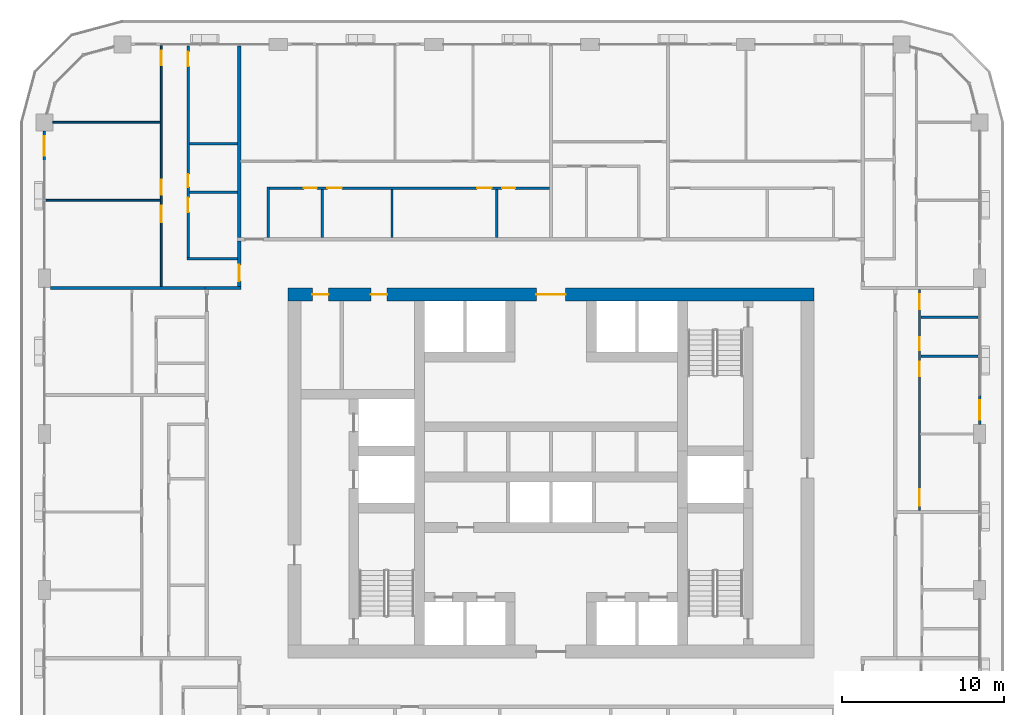
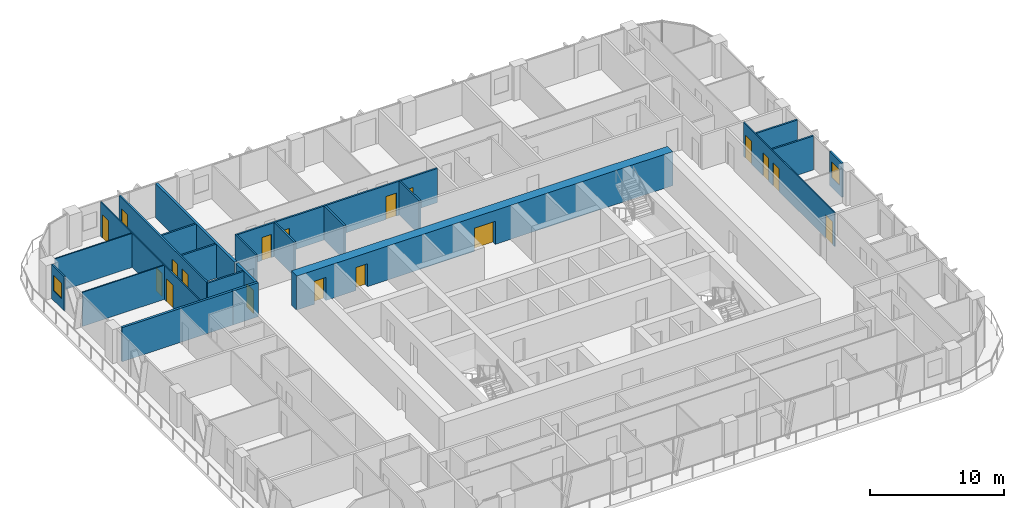
# One storey, part 13 of 22: 22 walls, 18 doors, 2 windows, 20 openings.
"""IFC4 building model written with IfcOpenShell, lengths in metres."""

from ifc_helpers import new_model, si_unit, direction, frame, frame_2d, origin, place, context, subcontext, project, spatial, rectangle, extrude, material, layer, layer_set, type_object, element, fill, save


model = new_model("IFC4")

# Units and contexts
model_context = context("Model", 3, precision=1e-05, world=origin(), true_north=direction((0.0, 1.0)))
body_context = subcontext(model_context, "Body", "Model", "MODEL_VIEW")
ifc_project = project(units=[si_unit("LENGTHUNIT", "METRE"), si_unit("AREAUNIT", "SQUARE_METRE"), si_unit("VOLUMEUNIT", "CUBIC_METRE"), si_unit("PLANEANGLEUNIT", "RADIAN"), si_unit("MASSUNIT", "GRAM", prefix="KILO")], contexts=[model_context])

# Site, building, storey
site_placement = place(None, origin())
site = spatial("IfcSite", under=ifc_project, at=site_placement, CompositionType="ELEMENT")
building_placement = place(site_placement, origin())
building = spatial("IfcBuilding", under=site, at=building_placement, Name="Madar Terraces", CompositionType="ELEMENT")
storey_placement = place(building_placement, frame((0.0, 0.0, 140.10009765625)))
storey = spatial("IfcBuildingStorey", under=building, at=storey_placement, Name="L36", CompositionType="ELEMENT", Elevation=140.10009765625)

# Wall, openings, doors
ifc_material_1 = material(Name="Concrete C70/85", Category="concrete")
ifc_layer_1 = layer(ifc_material_1, 0.800048828125)
ifc_layer_set_1 = layer_set([ifc_layer_1], Name="Concrete C70/85 (CRW3 RC wall 800)")
wall_type_1 = type_object("IfcWallType", Name="CRW3 RC wall 800", PredefinedType="SHEAR", material=ifc_layer_set_1)
wall_1_placement = place(storey_placement, frame((15.0, 37.39990234375, 0.0), z_axis=(0.0, 0.0, 1.0), x_axis=(1.0, 0.0, 0.0)))
wall_1 = element("IfcWall", 1, at=wall_1_placement, inside=storey, type_object=wall_type_1, Name="CORE OUTER WALL", PredefinedType="SHEAR", context=body_context, shape_type="SweptSolid", body=[
    extrude(rectangle(XDim=32.39990234375, YDim=0.800048828125, at=frame_2d((16.199951171875, 0.0))), origin(), (0.0, 0.0, 1.0), 3.099853515625),
])
opening_1_placement = place(wall_1_placement, frame((15.300048828125, 0.0, 0.0)))
opening_1 = element("IfcOpeningElement", 2, at=opening_1_placement, cuts=wall_1, Name="Opening KD1", PredefinedType="OPENING", context=body_context, shape_type="SweptSolid", body=[
    extrude(rectangle(XDim=1.800048828125, YDim=2.10009765625, at=frame_2d((0.89990234375, 1.050048828125))), frame((0.0, 0.409912109375, 0.0), z_axis=(0.0, -1.0, 0.0), x_axis=(1.0, 0.0, 0.0)), (0.0, 0.0, 1.0), 0.820068359375),
])
opening_2_placement = place(wall_1_placement, frame((1.510009765625, 0.0, 0.0)))
opening_2 = element("IfcOpeningElement", 3, at=opening_2_placement, cuts=wall_1, Name="Opening KD2", PredefinedType="OPENING", context=body_context, shape_type="SweptSolid", body=[
    extrude(rectangle(XDim=1.0, YDim=2.10009765625, at=frame_2d((0.5, 1.050048828125))), frame((0.0, 0.409912109375, 0.0), z_axis=(0.0, -1.0, 0.0), x_axis=(1.0, 0.0, 0.0)), (0.0, 0.0, 1.0), 0.820068359375),
])
opening_3_placement = place(wall_1_placement, frame((5.110107421875, 0.0, 0.0)))
opening_3 = element("IfcOpeningElement", 4, at=opening_3_placement, cuts=wall_1, Name="Opening KD2", PredefinedType="OPENING", context=body_context, shape_type="SweptSolid", body=[
    extrude(rectangle(XDim=1.0, YDim=2.10009765625, at=frame_2d((0.5, 1.050048828125))), frame((0.0, 0.409912109375, 0.0), z_axis=(0.0, -1.0, 0.0), x_axis=(1.0, 0.0, 0.0)), (0.0, 0.0, 1.0), 0.820068359375),
])
ifc_material_2 = material(Name="Steel door leaf", Category="steel")
door_type_1 = type_object("IfcDoorType", Name="Lobby door pair 1800 x 2100", OperationType="DOUBLE_DOOR_SINGLE_SWING", PredefinedType="DOOR", material=ifc_material_2)
door_1_placement = place(opening_1_placement, origin())
door_1 = element("IfcDoor", 5, at=door_1_placement, inside=storey, type_object=door_type_1, Name="LIFT LOBBY DOOR", OperationType="DOUBLE_DOOR_SINGLE_SWING", OverallHeight=2.10009765625, OverallWidth=1.800048828125, PredefinedType="DOOR", context=body_context, shape_type="SweptSolid", body=[
    extrude(rectangle(XDim=1.800048828125, YDim=2.10009765625, at=frame_2d((0.89990234375, 1.050048828125))), frame((0.0, 0.02490234375, 0.0), z_axis=(0.0, -1.0, 0.0), x_axis=(1.0, 0.0, 0.0)), (0.0, 0.0, 1.0), 0.050048828125),
])
fill(opening_1, door_1)
ifc_material_3 = material(Name="Steel door leaf", Category="steel")
door_type_2 = type_object("IfcDoorType", Name="Service room door 1000 x 2100", OperationType="NOTDEFINED", PredefinedType="DOOR", material=ifc_material_3)
door_2_placement = place(opening_2_placement, origin())
door_2 = element("IfcDoor", 6, at=door_2_placement, inside=storey, type_object=door_type_2, Name="SERVICE ROOM DOOR", OperationType="SINGLE_SWING_LEFT", OverallHeight=2.10009765625, OverallWidth=1.0, PredefinedType="DOOR", context=body_context, shape_type="SweptSolid", body=[
    extrude(rectangle(XDim=1.0, YDim=2.10009765625, at=frame_2d((0.5, 1.050048828125))), frame((0.0, 0.02490234375, 0.0), z_axis=(0.0, -1.0, 0.0), x_axis=(1.0, 0.0, 0.0)), (0.0, 0.0, 1.0), 0.050048828125),
])
fill(opening_2, door_2)
door_3_placement = place(opening_3_placement, origin())
door_3 = element("IfcDoor", 7, at=door_3_placement, inside=storey, type_object=door_type_2, Name="SERVICE ROOM DOOR", OperationType="SINGLE_SWING_RIGHT", OverallHeight=2.10009765625, OverallWidth=1.0, PredefinedType="DOOR", context=body_context, shape_type="SweptSolid", body=[
    extrude(rectangle(XDim=1.0, YDim=2.10009765625, at=frame_2d((0.5, 1.050048828125))), frame((0.0, 0.02490234375, 0.0), z_axis=(0.0, -1.0, 0.0), x_axis=(1.0, 0.0, 0.0)), (0.0, 0.0, 1.0), 0.050048828125),
])
fill(opening_3, door_3)

# Wall, opening, window
ifc_material_4 = material(Name="Aluminium composite panel, black, over insulated backing", Category="aluminium")
ifc_layer_2 = layer(ifc_material_4, 0.14990234375)
ifc_layer_set_2 = layer_set([ifc_layer_2], Name="Facade bay panel 150")
wall_type_2 = type_object("IfcWallType", Name="Facade bay panel 150", PredefinedType="SOLIDWALL", material=ifc_layer_set_2)
wall_2_placement = place(storey_placement, frame((57.60009765625, 29.375, 0.0), z_axis=(0.0, 0.0, 1.0), x_axis=(0.0, 1.0, 0.0)))
wall_2 = element("IfcWall", 8, at=wall_2_placement, inside=storey, type_object=wall_type_2, Name="Facade bay panel", PredefinedType="SOLIDWALL", context=body_context, shape_type="SweptSolid", body=[
    extrude(rectangle(XDim=1.824951171875, YDim=0.14990234375, at=frame_2d((0.91259765625, 0.0))), origin(), (0.0, 0.0, 1.0), 3.099853515625),
])
opening_4_placement = place(wall_2_placement, frame((0.3125, 0.0, 0.89990234375)))
opening_4 = element("IfcOpeningElement", 9, at=opening_4_placement, cuts=wall_2, Name="Opening W1", PredefinedType="OPENING", context=body_context, shape_type="SweptSolid", body=[
    extrude(rectangle(XDim=1.199951171875, YDim=1.39990234375, at=frame_2d((0.60009765625, 0.699951171875))), frame((0.0, 0.0849609375, 0.0), z_axis=(0.0, -1.0, 0.0), x_axis=(1.0, 0.0, 0.0)), (0.0, 0.0, 1.0), 0.169921875),
])
ifc_material_5 = material(Name="Glass, clear, with black aluminium frame", Category="aluminium")
window_type = type_object("IfcWindowType", Name="Vent window 1200 x 1400", PartitioningType="SINGLE_PANEL", PredefinedType="WINDOW", material=ifc_material_5)
window_1_placement = place(opening_4_placement, origin())
window_1 = element("IfcWindow", 10, at=window_1_placement, inside=storey, type_object=window_type, Name="Operable vent window", OverallHeight=1.39990234375, OverallWidth=1.199951171875, PartitioningType="SINGLE_PANEL", PredefinedType="WINDOW", context=body_context, shape_type="SweptSolid", body=[
    extrude(rectangle(XDim=1.199951171875, YDim=1.39990234375, at=frame_2d((0.60009765625, 0.699951171875))), frame((0.0, 0.030029296875, 0.0), z_axis=(0.0, -1.0, 0.0), x_axis=(1.0, 0.0, 0.0)), (0.0, 0.0, 1.0), 0.06005859375),
])
fill(opening_4, window_1)

wall_3_placement = place(storey_placement, frame((0.0, 47.47509765625, 0.0), z_axis=(0.0, 0.0, 1.0), x_axis=(0.0, -1.0, 0.0)))
wall_3 = element("IfcWall", 11, at=wall_3_placement, inside=storey, type_object=wall_type_2, Name="Facade bay panel", PredefinedType="SOLIDWALL", context=body_context, shape_type="SweptSolid", body=[
    extrude(rectangle(XDim=1.875, YDim=0.14990234375, at=frame_2d((0.9375, 0.0))), origin(), (0.0, 0.0, 1.0), 3.099853515625),
])
opening_5_placement = place(wall_3_placement, frame((0.33740234375, 0.0, 0.89990234375)))
opening_5 = element("IfcOpeningElement", 12, at=opening_5_placement, cuts=wall_3, Name="Opening W1", PredefinedType="OPENING", context=body_context, shape_type="SweptSolid", body=[
    extrude(rectangle(XDim=1.199951171875, YDim=1.39990234375, at=frame_2d((0.60009765625, 0.699951171875))), frame((0.0, 0.0849609375, 0.0), z_axis=(0.0, -1.0, 0.0), x_axis=(1.0, 0.0, 0.0)), (0.0, 0.0, 1.0), 0.169921875),
])
window_2_placement = place(opening_5_placement, origin())
window_2 = element("IfcWindow", 13, at=window_2_placement, inside=storey, type_object=window_type, Name="Operable vent window", OverallHeight=1.39990234375, OverallWidth=1.199951171875, PartitioningType="SINGLE_PANEL", PredefinedType="WINDOW", context=body_context, shape_type="SweptSolid", body=[
    extrude(rectangle(XDim=1.199951171875, YDim=1.39990234375, at=frame_2d((0.60009765625, 0.699951171875))), frame((0.0, 0.030029296875, 0.0), z_axis=(0.0, -1.0, 0.0), x_axis=(1.0, 0.0, 0.0)), (0.0, 0.0, 1.0), 0.06005859375),
])
fill(opening_5, window_2)

# Wall, openings, doors
ifc_material_6 = material(Name="Gypsum board on steel studs", Category="steel")
ifc_layer_3 = layer(ifc_material_6, 0.10009765625)
ifc_layer_set_3 = layer_set([ifc_layer_3], Name="Flat partition 100")
wall_type_3 = type_object("IfcWallType", Name="Flat partition 100", PredefinedType="PARTITIONING", material=ifc_layer_set_3)
wall_4_placement = place(storey_placement, frame((53.89990234375, 37.699951171875, 0.0), z_axis=(0.0, 0.0, 1.0), x_axis=(0.0, -1.0, 0.0)))
wall_4 = element("IfcWall", 14, at=wall_4_placement, inside=storey, type_object=wall_type_3, Name="Flat partition 100", PredefinedType="PARTITIONING", context=body_context, shape_type="SweptSolid", body=[
    extrude(rectangle(XDim=13.599853515625, YDim=0.10009765625, at=frame_2d((6.7998046875, 0.0))), origin(), (0.0, 0.0, 1.0), 3.099853515625),
])
opening_6_placement = place(wall_4_placement, frame((0.300048828125, 0.0, 0.0)))
opening_6 = element("IfcOpeningElement", 15, at=opening_6_placement, cuts=wall_4, Name="Opening D2", PredefinedType="OPENING", context=body_context, shape_type="SweptSolid", body=[
    extrude(rectangle(XDim=0.89990234375, YDim=2.10009765625, at=frame_2d((0.449951171875, 1.050048828125))), frame((0.0, 0.06005859375, 0.0), z_axis=(0.0, -1.0, 0.0), x_axis=(1.0, 0.0, 0.0)), (0.0, 0.0, 1.0), 0.1201171875),
])
opening_7_placement = place(wall_4_placement, frame((2.949951171875, 0.0, 0.0)))
opening_7 = element("IfcOpeningElement", 16, at=opening_7_placement, cuts=wall_4, Name="Opening D4", PredefinedType="OPENING", context=body_context, shape_type="SweptSolid", body=[
    extrude(rectangle(XDim=0.800048828125, YDim=2.10009765625, at=frame_2d((0.39990234375, 1.050048828125))), frame((0.0, 0.06005859375, 0.0), z_axis=(0.0, -1.0, 0.0), x_axis=(1.0, 0.0, 0.0)), (0.0, 0.0, 1.0), 0.1201171875),
])
opening_8_placement = place(wall_4_placement, frame((4.449951171875, 0.0, 0.0)))
opening_8 = element("IfcOpeningElement", 17, at=opening_8_placement, cuts=wall_4, Name="Opening D2", PredefinedType="OPENING", context=body_context, shape_type="SweptSolid", body=[
    extrude(rectangle(XDim=0.89990234375, YDim=2.10009765625, at=frame_2d((0.449951171875, 1.050048828125))), frame((0.0, 0.06005859375, 0.0), z_axis=(0.0, -1.0, 0.0), x_axis=(1.0, 0.0, 0.0)), (0.0, 0.0, 1.0), 0.1201171875),
])
opening_9_placement = place(wall_4_placement, frame((12.300048828125, 0.0, 0.0)))
opening_9 = element("IfcOpeningElement", 18, at=opening_9_placement, cuts=wall_4, Name="Opening D3", PredefinedType="OPENING", context=body_context, shape_type="SweptSolid", body=[
    extrude(rectangle(XDim=1.0, YDim=2.10009765625, at=frame_2d((0.5, 1.050048828125))), frame((0.0, 0.06005859375, 0.0), z_axis=(0.0, -1.0, 0.0), x_axis=(1.0, 0.0, 0.0)), (0.0, 0.0, 1.0), 0.1201171875),
])
ifc_material_7 = material(Name="Timber door leaf", Category="wood")
door_type_3 = type_object("IfcDoorType", Name="Flat bathroom door 800", OperationType="NOTDEFINED", PredefinedType="DOOR", material=ifc_material_7)
door_4_placement = place(opening_7_placement, origin())
door_4 = element("IfcDoor", 19, at=door_4_placement, inside=storey, type_object=door_type_3, Name="Flat bathroom door 800", OperationType="SINGLE_SWING_RIGHT", OverallHeight=2.10009765625, OverallWidth=0.800048828125, PredefinedType="DOOR", context=body_context, shape_type="SweptSolid", body=[
    extrude(rectangle(XDim=0.800048828125, YDim=2.10009765625, at=frame_2d((0.39990234375, 1.050048828125))), frame((0.0, 0.02490234375, 0.0), z_axis=(0.0, -1.0, 0.0), x_axis=(1.0, 0.0, 0.0)), (0.0, 0.0, 1.0), 0.050048828125),
])
fill(opening_7, door_4)
ifc_material_8 = material(Name="Timber door leaf", Category="wood")
door_type_4 = type_object("IfcDoorType", Name="Flat living room door 1000", OperationType="NOTDEFINED", PredefinedType="DOOR", material=ifc_material_8)
door_5_placement = place(opening_9_placement, origin())
door_5 = element("IfcDoor", 20, at=door_5_placement, inside=storey, type_object=door_type_4, Name="Flat living room door 1000", OperationType="SINGLE_SWING_RIGHT", OverallHeight=2.10009765625, OverallWidth=1.0, PredefinedType="DOOR", context=body_context, shape_type="SweptSolid", body=[
    extrude(rectangle(XDim=1.0, YDim=2.10009765625, at=frame_2d((0.5, 1.050048828125))), frame((0.0, 0.02490234375, 0.0), z_axis=(0.0, -1.0, 0.0), x_axis=(1.0, 0.0, 0.0)), (0.0, 0.0, 1.0), 0.050048828125),
])
fill(opening_9, door_5)
ifc_material_9 = material(Name="Timber door leaf", Category="wood")
door_type_5 = type_object("IfcDoorType", Name="Flat room door 900", OperationType="NOTDEFINED", PredefinedType="DOOR", material=ifc_material_9)
door_6_placement = place(opening_6_placement, origin())
door_6 = element("IfcDoor", 21, at=door_6_placement, inside=storey, type_object=door_type_5, Name="Flat room door 900", OperationType="SINGLE_SWING_LEFT", OverallHeight=2.10009765625, OverallWidth=0.89990234375, PredefinedType="DOOR", context=body_context, shape_type="SweptSolid", body=[
    extrude(rectangle(XDim=0.89990234375, YDim=2.10009765625, at=frame_2d((0.449951171875, 1.050048828125))), frame((0.0, 0.02490234375, 0.0), z_axis=(0.0, -1.0, 0.0), x_axis=(1.0, 0.0, 0.0)), (0.0, 0.0, 1.0), 0.050048828125),
])
fill(opening_6, door_6)
door_7_placement = place(opening_8_placement, origin())
door_7 = element("IfcDoor", 22, at=door_7_placement, inside=storey, type_object=door_type_5, Name="Flat room door 900", OperationType="SINGLE_SWING_LEFT", OverallHeight=2.10009765625, OverallWidth=0.89990234375, PredefinedType="DOOR", context=body_context, shape_type="SweptSolid", body=[
    extrude(rectangle(XDim=0.89990234375, YDim=2.10009765625, at=frame_2d((0.449951171875, 1.050048828125))), frame((0.0, 0.02490234375, 0.0), z_axis=(0.0, -1.0, 0.0), x_axis=(1.0, 0.0, 0.0)), (0.0, 0.0, 1.0), 0.050048828125),
])
fill(opening_8, door_7)

# Walls
wall_5_placement = place(storey_placement, frame((7.14990234375, 43.199951171875, 0.0), z_axis=(0.0, 0.0, 1.0), x_axis=(-1.0, 0.0, 0.0)))
element("IfcWall", 23, at=wall_5_placement, inside=storey, type_object=wall_type_3, Name="Flat partition 100", PredefinedType="PARTITIONING", context=body_context, shape_type="SweptSolid", body=[
    extrude(rectangle(XDim=7.0498046875, YDim=0.10009765625, at=frame_2d((3.52490234375, 0.0))), origin(), (0.0, 0.0, 1.0), 3.099853515625),
])
wall_6_placement = place(storey_placement, frame((7.14990234375, 48.0, 0.0), z_axis=(0.0, 0.0, 1.0), x_axis=(-1.0, 0.0, 0.0)))
element("IfcWall", 24, at=wall_6_placement, inside=storey, type_object=wall_type_3, Name="Flat partition 100", PredefinedType="PARTITIONING", context=body_context, shape_type="SweptSolid", body=[
    extrude(rectangle(XDim=6.625, YDim=0.10009765625, at=frame_2d((3.3125, 0.0))), origin(), (0.0, 0.0, 1.0), 3.099853515625),
])

# Wall, openings, doors
wall_7_placement = place(storey_placement, frame((7.199951171875, 37.89990234375, 0.0), z_axis=(0.0, 0.0, 1.0), x_axis=(0.0, 1.0, 0.0)))
wall_7 = element("IfcWall", 25, at=wall_7_placement, inside=storey, type_object=wall_type_3, Name="Flat partition 100", PredefinedType="PARTITIONING", context=body_context, shape_type="SweptSolid", body=[
    extrude(rectangle(XDim=14.800048828125, YDim=0.10009765625, at=frame_2d((7.39990234375, 0.0))), origin(), (0.0, 0.0, 1.0), 3.099853515625),
])
opening_10_placement = place(wall_7_placement, frame((3.949951171875, 0.0, 0.0)))
opening_10 = element("IfcOpeningElement", 26, at=opening_10_placement, cuts=wall_7, Name="Opening D3", PredefinedType="OPENING", context=body_context, shape_type="SweptSolid", body=[
    extrude(rectangle(XDim=1.0, YDim=2.10009765625, at=frame_2d((0.5, 1.050048828125))), frame((0.0, 0.06005859375, 0.0), z_axis=(0.0, -1.0, 0.0), x_axis=(1.0, 0.0, 0.0)), (0.0, 0.0, 1.0), 0.1201171875),
])
opening_11_placement = place(wall_7_placement, frame((5.64990234375, 0.0, 0.0)))
opening_11 = element("IfcOpeningElement", 27, at=opening_11_placement, cuts=wall_7, Name="Opening D2", PredefinedType="OPENING", context=body_context, shape_type="SweptSolid", body=[
    extrude(rectangle(XDim=0.89990234375, YDim=2.10009765625, at=frame_2d((0.449951171875, 1.050048828125))), frame((0.0, 0.06005859375, 0.0), z_axis=(0.0, -1.0, 0.0), x_axis=(1.0, 0.0, 0.0)), (0.0, 0.0, 1.0), 0.1201171875),
])
opening_12_placement = place(wall_7_placement, frame((13.60009765625, 0.0, 0.0)))
opening_12 = element("IfcOpeningElement", 28, at=opening_12_placement, cuts=wall_7, Name="Opening D2", PredefinedType="OPENING", context=body_context, shape_type="SweptSolid", body=[
    extrude(rectangle(XDim=0.89990234375, YDim=2.10009765625, at=frame_2d((0.449951171875, 1.050048828125))), frame((0.0, 0.06005859375, 0.0), z_axis=(0.0, -1.0, 0.0), x_axis=(1.0, 0.0, 0.0)), (0.0, 0.0, 1.0), 0.1201171875),
])
door_8_placement = place(opening_10_placement, origin())
door_8 = element("IfcDoor", 29, at=door_8_placement, inside=storey, type_object=door_type_4, Name="Flat living room door 1000", OperationType="SINGLE_SWING_RIGHT", OverallHeight=2.10009765625, OverallWidth=1.0, PredefinedType="DOOR", context=body_context, shape_type="SweptSolid", body=[
    extrude(rectangle(XDim=1.0, YDim=2.10009765625, at=frame_2d((0.5, 1.050048828125))), frame((0.0, 0.02490234375, 0.0), z_axis=(0.0, -1.0, 0.0), x_axis=(1.0, 0.0, 0.0)), (0.0, 0.0, 1.0), 0.050048828125),
])
fill(opening_10, door_8)
door_9_placement = place(opening_11_placement, origin())
door_9 = element("IfcDoor", 30, at=door_9_placement, inside=storey, type_object=door_type_5, Name="Flat room door 900", OperationType="SINGLE_SWING_LEFT", OverallHeight=2.10009765625, OverallWidth=0.89990234375, PredefinedType="DOOR", context=body_context, shape_type="SweptSolid", body=[
    extrude(rectangle(XDim=0.89990234375, YDim=2.10009765625, at=frame_2d((0.449951171875, 1.050048828125))), frame((0.0, 0.02490234375, 0.0), z_axis=(0.0, -1.0, 0.0), x_axis=(1.0, 0.0, 0.0)), (0.0, 0.0, 1.0), 0.050048828125),
])
fill(opening_11, door_9)
door_10_placement = place(opening_12_placement, origin())
door_10 = element("IfcDoor", 31, at=door_10_placement, inside=storey, type_object=door_type_5, Name="Flat room door 900", OperationType="SINGLE_SWING_RIGHT", OverallHeight=2.10009765625, OverallWidth=0.89990234375, PredefinedType="DOOR", context=body_context, shape_type="SweptSolid", body=[
    extrude(rectangle(XDim=0.89990234375, YDim=2.10009765625, at=frame_2d((0.449951171875, 1.050048828125))), frame((0.0, 0.02490234375, 0.0), z_axis=(0.0, -1.0, 0.0), x_axis=(1.0, 0.0, 0.0)), (0.0, 0.0, 1.0), 0.050048828125),
])
fill(opening_12, door_10)

# Wall, opening, door
ifc_material_10 = material(Name="Lightweight blockwork", Category="masonry")
ifc_layer_4 = layer(ifc_material_10, 0.199951171875)
ifc_layer_set_4 = layer_set([ifc_layer_4], Name="Flat party and entrance wall 200")
wall_type_4 = type_object("IfcWallType", Name="Flat party and entrance wall 200", PredefinedType="PARTITIONING", material=ifc_layer_set_4)
wall_8_placement = place(storey_placement, frame((12.0, 37.89990234375, 0.0), z_axis=(0.0, 0.0, 1.0), x_axis=(0.0, 1.0, 0.0)))
wall_8 = element("IfcWall", 32, at=wall_8_placement, inside=storey, type_object=wall_type_4, Name="Flat party and entrance wall 200", PredefinedType="PARTITIONING", context=body_context, shape_type="SweptSolid", body=[
    extrude(rectangle(XDim=2.800048828125, YDim=0.199951171875, at=frame_2d((1.39990234375, 0.0))), origin(), (0.0, 0.0, 1.0), 3.099853515625),
])
opening_13_placement = place(wall_8_placement, frame((0.324951171875, 0.0, 0.0)))
opening_13 = element("IfcOpeningElement", 33, at=opening_13_placement, cuts=wall_8, Name="Opening D1", PredefinedType="OPENING", context=body_context, shape_type="SweptSolid", body=[
    extrude(rectangle(XDim=1.0, YDim=2.10009765625, at=frame_2d((0.5, 1.050048828125))), frame((0.0, 0.10986328125, 0.0), z_axis=(0.0, -1.0, 0.0), x_axis=(1.0, 0.0, 0.0)), (0.0, 0.0, 1.0), 0.219970703125),
])
ifc_material_11 = material(Name="Timber fire door leaf", Category="wood")
door_type_6 = type_object("IfcDoorType", Name="Flat entrance door 1000 FD30S", OperationType="NOTDEFINED", PredefinedType="DOOR", material=ifc_material_11)
door_11_placement = place(opening_13_placement, origin())
door_11 = element("IfcDoor", 34, at=door_11_placement, inside=storey, type_object=door_type_6, Name="Flat entrance door 1000 FD30S", OperationType="SINGLE_SWING_LEFT", OverallHeight=2.10009765625, OverallWidth=1.0, PredefinedType="DOOR", context=body_context, shape_type="SweptSolid", body=[
    extrude(rectangle(XDim=1.0, YDim=2.10009765625, at=frame_2d((0.5, 1.050048828125))), frame((0.0, 0.02490234375, 0.0), z_axis=(0.0, -1.0, 0.0), x_axis=(1.0, 0.0, 0.0)), (0.0, 0.0, 1.0), 0.050048828125),
])
fill(opening_13, door_11)

# Walls
wall_9_placement = place(storey_placement, frame((12.10009765625, 37.800048828125, 0.0), z_axis=(0.0, 0.0, 1.0), x_axis=(-1.0, 0.0, 0.0)))
element("IfcWall", 35, at=wall_9_placement, inside=storey, type_object=wall_type_4, Name="Flat party and entrance wall 200", PredefinedType="PARTITIONING", context=body_context, shape_type="SweptSolid", body=[
    extrude(rectangle(XDim=2.2001953125, YDim=0.199951171875, at=frame_2d((1.10009765625, 0.0))), origin(), (0.0, 0.0, 1.0), 3.099853515625),
])
wall_10_placement = place(storey_placement, frame((12.0, 52.699951171875, 0.0), z_axis=(0.0, 0.0, 1.0), x_axis=(0.0, -1.0, 0.0)))
element("IfcWall", 36, at=wall_10_placement, inside=storey, type_object=wall_type_4, Name="Flat party and entrance wall 200", PredefinedType="PARTITIONING", context=body_context, shape_type="SweptSolid", body=[
    extrude(rectangle(XDim=11.800048828125, YDim=0.199951171875, at=frame_2d((5.89990234375, 0.0))), origin(), (0.0, 0.0, 1.0), 3.099853515625),
])
wall_11_placement = place(storey_placement, frame((0.375, 37.800048828125, 0.0), z_axis=(0.0, 0.0, 1.0), x_axis=(1.0, 0.0, 0.0)))
element("IfcWall", 37, at=wall_11_placement, inside=storey, type_object=wall_type_4, Name="Flat party and entrance wall 200", PredefinedType="PARTITIONING", context=body_context, shape_type="SweptSolid", body=[
    extrude(rectangle(XDim=9.52490234375, YDim=0.199951171875, at=frame_2d((4.762451171875, 0.0))), origin(), (0.0, 0.0, 1.0), 3.099853515625),
])
ifc_material_12 = material(Name="Lightweight blockwork", Category="masonry")
ifc_layer_5 = layer(ifc_material_12, 0.14990234375)
ifc_layer_set_5 = layer_set([ifc_layer_5], Name="Flat wet-room partition 150")
wall_type_5 = type_object("IfcWallType", Name="Flat wet-room partition 150", PredefinedType="PARTITIONING", material=ifc_layer_set_5)
for number, where, z_axis, x_axis, name in (
    (38, (53.97509765625, 36.0, 0.0), (0.0, 0.0, 1.0), (1.0, 0.0, 0.0), "Flat wet-room partition 150"),
    (39, (53.97509765625, 33.60009765625, 0.0), (0.0, 0.0, 1.0), (1.0, 0.0, 0.0), "Flat wet-room partition 150"),
):
    element("IfcWall", number, at=place(storey_placement, frame(where, z_axis=z_axis, x_axis=x_axis)), inside=storey, type_object=wall_type_5, Name=name, PredefinedType="PARTITIONING", context=body_context, shape_type="SweptSolid", body=[
        extrude(rectangle(XDim=3.52490234375, YDim=0.14990234375, at=frame_2d((1.762451171875, 0.0))), origin(), (0.0, 0.0, 1.0), 3.099853515625),
    ])
for number, where, z_axis, x_axis, name in (
    (40, (17.104736328125, 40.89990234375, 0.0), (0.0, 0.0, 1.0), (0.0, 1.0, 0.0), "Flat wet-room partition 150"),
    (41, (21.410888671875, 40.89990234375, 0.0), (0.0, 0.0, 1.0), (0.0, 1.0, 0.0), "Flat wet-room partition 150"),
    (42, (27.870361328125, 40.89990234375, 0.0), (0.0, 0.0, 1.0), (0.0, 1.0, 0.0), "Flat wet-room partition 150"),
):
    element("IfcWall", number, at=place(storey_placement, frame(where, z_axis=z_axis, x_axis=x_axis)), inside=storey, type_object=wall_type_5, Name=name, PredefinedType="PARTITIONING", context=body_context, shape_type="SweptSolid", body=[
        extrude(rectangle(XDim=2.97509765625, YDim=0.14990234375, at=frame_2d((1.487548828125, 0.0))), origin(), (0.0, 0.0, 1.0), 3.099853515625),
    ])
wall_12_placement = place(storey_placement, frame((13.800048828125, 40.89990234375, 0.0), z_axis=(0.0, 0.0, 1.0), x_axis=(0.0, 1.0, 0.0)))
element("IfcWall", 43, at=wall_12_placement, inside=storey, type_object=wall_type_5, Name="Flat wet-room partition 150", PredefinedType="PARTITIONING", context=body_context, shape_type="SweptSolid", body=[
    extrude(rectangle(XDim=3.125, YDim=0.14990234375, at=frame_2d((1.5625, 0.0))), origin(), (0.0, 0.0, 1.0), 3.099853515625),
])

# Wall, openings, doors
wall_13_placement = place(storey_placement, frame((31.10009765625, 43.949951171875, 0.0), z_axis=(0.0, 0.0, 1.0), x_axis=(-1.0, 0.0, 0.0)))
wall_13 = element("IfcWall", 44, at=wall_13_placement, inside=storey, type_object=wall_type_5, Name="Flat wet-room partition 150", PredefinedType="PARTITIONING", context=body_context, shape_type="SweptSolid", body=[
    extrude(rectangle(XDim=17.22509765625, YDim=0.14990234375, at=frame_2d((8.612548828125, 0.0))), origin(), (0.0, 0.0, 1.0), 3.099853515625),
])
opening_14_placement = place(wall_13_placement, frame((14.3203125, 0.0, 0.0)))
opening_14 = element("IfcOpeningElement", 45, at=opening_14_placement, cuts=wall_13, Name="Opening D7", PredefinedType="OPENING", context=body_context, shape_type="SweptSolid", body=[
    extrude(rectangle(XDim=0.800048828125, YDim=2.10009765625, at=frame_2d((0.39990234375, 1.050048828125))), frame((0.0, 0.0849609375, 0.0), z_axis=(0.0, -1.0, 0.0), x_axis=(1.0, 0.0, 0.0)), (0.0, 0.0, 1.0), 0.169921875),
])
opening_15_placement = place(wall_13_placement, frame((12.770263671875, 0.0, 0.0)))
opening_15 = element("IfcOpeningElement", 46, at=opening_15_placement, cuts=wall_13, Name="Opening D5", PredefinedType="OPENING", context=body_context, shape_type="SweptSolid", body=[
    extrude(rectangle(XDim=0.89990234375, YDim=2.10009765625, at=frame_2d((0.449951171875, 1.050048828125))), frame((0.0, 0.0849609375, 0.0), z_axis=(0.0, -1.0, 0.0), x_axis=(1.0, 0.0, 0.0)), (0.0, 0.0, 1.0), 0.169921875),
])
opening_16_placement = place(wall_13_placement, frame((3.5546875, 0.0, 0.0)))
opening_16 = element("IfcOpeningElement", 47, at=opening_16_placement, cuts=wall_13, Name="Opening D2", PredefinedType="OPENING", context=body_context, shape_type="SweptSolid", body=[
    extrude(rectangle(XDim=0.89990234375, YDim=2.10009765625, at=frame_2d((0.449951171875, 1.050048828125))), frame((0.0, 0.0849609375, 0.0), z_axis=(0.0, -1.0, 0.0), x_axis=(1.0, 0.0, 0.0)), (0.0, 0.0, 1.0), 0.169921875),
])
opening_17_placement = place(wall_13_placement, frame((2.104736328125, 0.0, 0.0)))
opening_17 = element("IfcOpeningElement", 48, at=opening_17_placement, cuts=wall_13, Name="Opening D4", PredefinedType="OPENING", context=body_context, shape_type="SweptSolid", body=[
    extrude(rectangle(XDim=0.800048828125, YDim=2.10009765625, at=frame_2d((0.39990234375, 1.050048828125))), frame((0.0, 0.0849609375, 0.0), z_axis=(0.0, -1.0, 0.0), x_axis=(1.0, 0.0, 0.0)), (0.0, 0.0, 1.0), 0.169921875),
])
ifc_material_13 = material(Name="Timber door leaf", Category="wood")
door_type_7 = type_object("IfcDoorType", Name="Flat accessible bathroom door 900", OperationType="NOTDEFINED", PredefinedType="DOOR", material=ifc_material_13)
door_12_placement = place(opening_15_placement, origin())
door_12 = element("IfcDoor", 49, at=door_12_placement, inside=storey, type_object=door_type_7, Name="Flat accessible bathroom door 900", OperationType="SINGLE_SWING_RIGHT", OverallHeight=2.10009765625, OverallWidth=0.89990234375, PredefinedType="DOOR", context=body_context, shape_type="SweptSolid", body=[
    extrude(rectangle(XDim=0.89990234375, YDim=2.10009765625, at=frame_2d((0.449951171875, 1.050048828125))), frame((0.0, 0.02490234375, 0.0), z_axis=(0.0, -1.0, 0.0), x_axis=(1.0, 0.0, 0.0)), (0.0, 0.0, 1.0), 0.050048828125),
])
fill(opening_15, door_12)
door_13_placement = place(opening_17_placement, origin())
door_13 = element("IfcDoor", 50, at=door_13_placement, inside=storey, type_object=door_type_3, Name="Flat bathroom door 800", OperationType="SINGLE_SWING_RIGHT", OverallHeight=2.10009765625, OverallWidth=0.800048828125, PredefinedType="DOOR", context=body_context, shape_type="SweptSolid", body=[
    extrude(rectangle(XDim=0.800048828125, YDim=2.10009765625, at=frame_2d((0.39990234375, 1.050048828125))), frame((0.0, 0.02490234375, 0.0), z_axis=(0.0, -1.0, 0.0), x_axis=(1.0, 0.0, 0.0)), (0.0, 0.0, 1.0), 0.050048828125),
])
fill(opening_17, door_13)
door_14_placement = place(opening_16_placement, origin())
door_14 = element("IfcDoor", 51, at=door_14_placement, inside=storey, type_object=door_type_5, Name="Flat room door 900", OperationType="SINGLE_SWING_LEFT", OverallHeight=2.10009765625, OverallWidth=0.89990234375, PredefinedType="DOOR", context=body_context, shape_type="SweptSolid", body=[
    extrude(rectangle(XDim=0.89990234375, YDim=2.10009765625, at=frame_2d((0.449951171875, 1.050048828125))), frame((0.0, 0.02490234375, 0.0), z_axis=(0.0, -1.0, 0.0), x_axis=(1.0, 0.0, 0.0)), (0.0, 0.0, 1.0), 0.050048828125),
])
fill(opening_16, door_14)
ifc_material_14 = material(Name="Timber door leaf", Category="wood")
door_type_8 = type_object("IfcDoorType", Name="Flat utility door 800", OperationType="NOTDEFINED", PredefinedType="DOOR", material=ifc_material_14)
door_15_placement = place(opening_14_placement, origin())
door_15 = element("IfcDoor", 52, at=door_15_placement, inside=storey, type_object=door_type_8, Name="Flat utility door 800", OperationType="SINGLE_SWING_LEFT", OverallHeight=2.10009765625, OverallWidth=0.800048828125, PredefinedType="DOOR", context=body_context, shape_type="SweptSolid", body=[
    extrude(rectangle(XDim=0.800048828125, YDim=2.10009765625, at=frame_2d((0.39990234375, 1.050048828125))), frame((0.0, 0.02490234375, 0.0), z_axis=(0.0, -1.0, 0.0), x_axis=(1.0, 0.0, 0.0)), (0.0, 0.0, 1.0), 0.050048828125),
])
fill(opening_14, door_15)

# Walls
for number, where, z_axis, x_axis, name in (
    (53, (11.89990234375, 43.6826171875, 0.0), (0.0, 0.0, 1.0), (-1.0, 0.0, 0.0), "Flat wet-room partition 150"),
    (54, (11.89990234375, 46.6884765625, 0.0), (0.0, 0.0, 1.0), (-1.0, 0.0, 0.0), "Flat wet-room partition 150"),
):
    element("IfcWall", number, at=place(storey_placement, frame(where, z_axis=z_axis, x_axis=x_axis)), inside=storey, type_object=wall_type_5, Name=name, PredefinedType="PARTITIONING", context=body_context, shape_type="SweptSolid", body=[
        extrude(rectangle(XDim=2.974853515625, YDim=0.14990234375, at=frame_2d((1.4873046875, 0.0))), origin(), (0.0, 0.0, 1.0), 3.099853515625),
    ])
wall_14_placement = place(storey_placement, frame((11.89990234375, 39.60009765625, 0.0), z_axis=(0.0, 0.0, 1.0), x_axis=(-1.0, 0.0, 0.0)))
element("IfcWall", 55, at=wall_14_placement, inside=storey, type_object=wall_type_5, Name="Flat wet-room partition 150", PredefinedType="PARTITIONING", context=body_context, shape_type="SweptSolid", body=[
    extrude(rectangle(XDim=3.125, YDim=0.14990234375, at=frame_2d((1.5625, 0.0))), origin(), (0.0, 0.0, 1.0), 3.099853515625),
])

# Wall, openings, doors
wall_15_placement = place(storey_placement, frame((8.85009765625, 52.699951171875, 0.0), z_axis=(0.0, 0.0, 1.0), x_axis=(0.0, -1.0, 0.0)))
wall_15 = element("IfcWall", 56, at=wall_15_placement, inside=storey, type_object=wall_type_5, Name="Flat wet-room partition 150", PredefinedType="PARTITIONING", context=body_context, shape_type="SweptSolid", body=[
    extrude(rectangle(XDim=13.02490234375, YDim=0.14990234375, at=frame_2d((6.512451171875, 0.0))), origin(), (0.0, 0.0, 1.0), 3.099853515625),
])
opening_18_placement = place(wall_15_placement, frame((9.34228515625, 0.0, 0.0)))
opening_18 = element("IfcOpeningElement", 57, at=opening_18_placement, cuts=wall_15, Name="Opening D5", PredefinedType="OPENING", context=body_context, shape_type="SweptSolid", body=[
    extrude(rectangle(XDim=0.89990234375, YDim=2.10009765625, at=frame_2d((0.449951171875, 1.050048828125))), frame((0.0, 0.0849609375, 0.0), z_axis=(0.0, -1.0, 0.0), x_axis=(1.0, 0.0, 0.0)), (0.0, 0.0, 1.0), 0.169921875),
])
opening_19_placement = place(wall_15_placement, frame((7.892333984375, 0.0, 0.0)))
opening_19 = element("IfcOpeningElement", 58, at=opening_19_placement, cuts=wall_15, Name="Opening D4", PredefinedType="OPENING", context=body_context, shape_type="SweptSolid", body=[
    extrude(rectangle(XDim=0.800048828125, YDim=2.10009765625, at=frame_2d((0.39990234375, 1.050048828125))), frame((0.0, 0.0849609375, 0.0), z_axis=(0.0, -1.0, 0.0), x_axis=(1.0, 0.0, 0.0)), (0.0, 0.0, 1.0), 0.169921875),
])
opening_20_placement = place(wall_15_placement, frame((0.35009765625, 0.0, 0.0)))
opening_20 = element("IfcOpeningElement", 59, at=opening_20_placement, cuts=wall_15, Name="Opening D2", PredefinedType="OPENING", context=body_context, shape_type="SweptSolid", body=[
    extrude(rectangle(XDim=0.89990234375, YDim=2.10009765625, at=frame_2d((0.449951171875, 1.050048828125))), frame((0.0, 0.0849609375, 0.0), z_axis=(0.0, -1.0, 0.0), x_axis=(1.0, 0.0, 0.0)), (0.0, 0.0, 1.0), 0.169921875),
])
door_16_placement = place(opening_18_placement, origin())
door_16 = element("IfcDoor", 60, at=door_16_placement, inside=storey, type_object=door_type_7, Name="Flat accessible bathroom door 900", OperationType="SINGLE_SWING_LEFT", OverallHeight=2.10009765625, OverallWidth=0.89990234375, PredefinedType="DOOR", context=body_context, shape_type="SweptSolid", body=[
    extrude(rectangle(XDim=0.89990234375, YDim=2.10009765625, at=frame_2d((0.449951171875, 1.050048828125))), frame((0.0, 0.02490234375, 0.0), z_axis=(0.0, -1.0, 0.0), x_axis=(1.0, 0.0, 0.0)), (0.0, 0.0, 1.0), 0.050048828125),
])
fill(opening_18, door_16)
door_17_placement = place(opening_19_placement, origin())
door_17 = element("IfcDoor", 61, at=door_17_placement, inside=storey, type_object=door_type_3, Name="Flat bathroom door 800", OperationType="SINGLE_SWING_RIGHT", OverallHeight=2.10009765625, OverallWidth=0.800048828125, PredefinedType="DOOR", context=body_context, shape_type="SweptSolid", body=[
    extrude(rectangle(XDim=0.800048828125, YDim=2.10009765625, at=frame_2d((0.39990234375, 1.050048828125))), frame((0.0, 0.02490234375, 0.0), z_axis=(0.0, -1.0, 0.0), x_axis=(1.0, 0.0, 0.0)), (0.0, 0.0, 1.0), 0.050048828125),
])
fill(opening_19, door_17)
door_18_placement = place(opening_20_placement, origin())
door_18 = element("IfcDoor", 62, at=door_18_placement, inside=storey, type_object=door_type_5, Name="Flat room door 900", OperationType="SINGLE_SWING_LEFT", OverallHeight=2.10009765625, OverallWidth=0.89990234375, PredefinedType="DOOR", context=body_context, shape_type="SweptSolid", body=[
    extrude(rectangle(XDim=0.89990234375, YDim=2.10009765625, at=frame_2d((0.449951171875, 1.050048828125))), frame((0.0, 0.02490234375, 0.0), z_axis=(0.0, -1.0, 0.0), x_axis=(1.0, 0.0, 0.0)), (0.0, 0.0, 1.0), 0.050048828125),
])
fill(opening_20, door_18)

save(model, "model.ifc")
